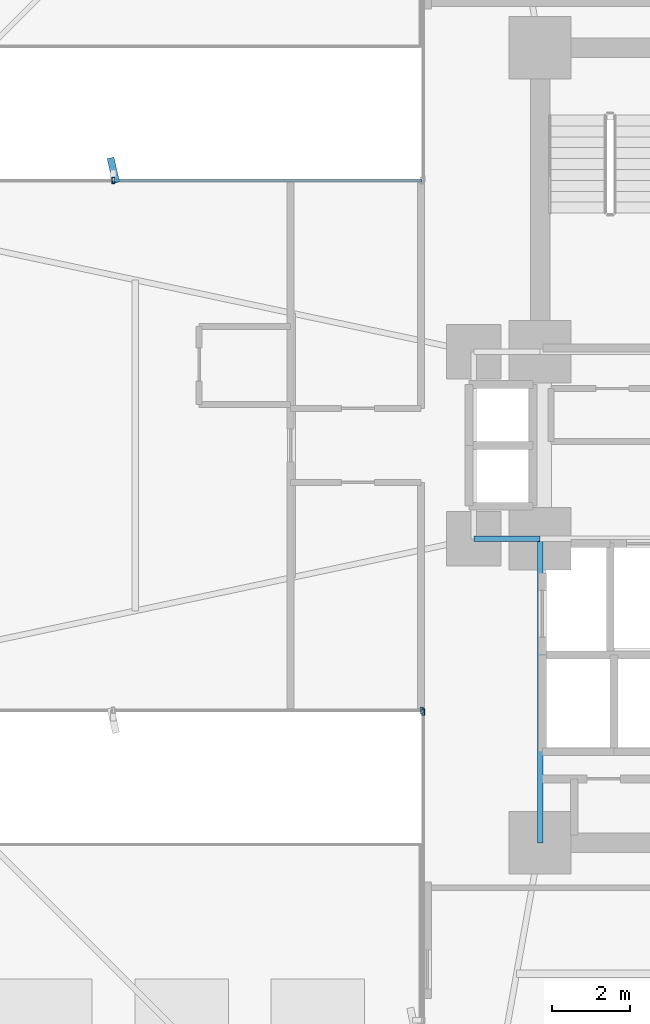
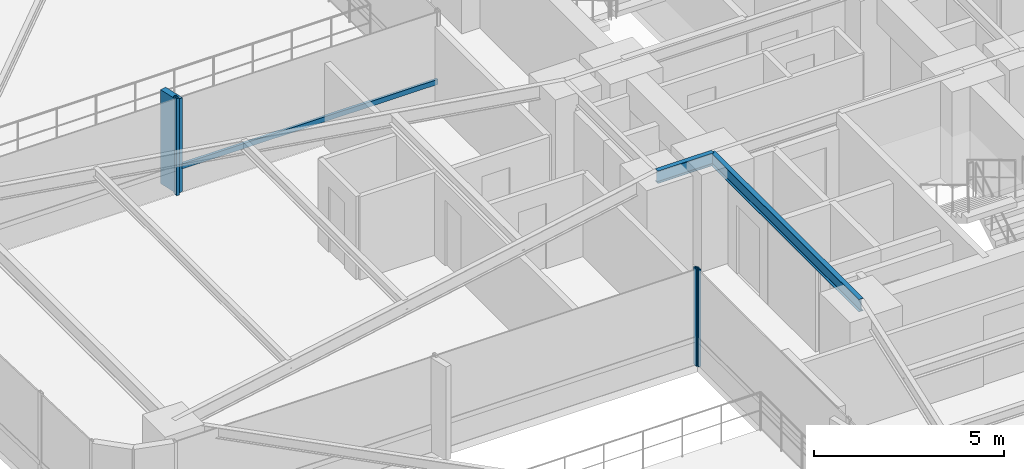
# One storey, part 9 of 27: 5 members, 2 beams, 3 elements without a shape of their own.
"""IFC4 building model written with IfcOpenShell, lengths in metres."""

from ifc_helpers import new_model, si_unit, direction, frame, origin, origin_2d, place, context, subcontext, project, spatial, rectangle, hollow_rectangle, i_section, extrude, source, transform, mapped, material, material_profile, profile_set, type_object, element, aggregate, save


model = new_model("IFC4")

# Units and contexts
model_context = context("Model", 3, precision=1e-05, world=origin(), true_north=direction((0.0, 1.0)))
body_context = subcontext(model_context, "Body", "Model", "MODEL_VIEW")
ifc_project = project(units=[si_unit("LENGTHUNIT", "METRE"), si_unit("AREAUNIT", "SQUARE_METRE"), si_unit("VOLUMEUNIT", "CUBIC_METRE"), si_unit("PLANEANGLEUNIT", "RADIAN"), si_unit("MASSUNIT", "GRAM", prefix="KILO")], contexts=[model_context])

# Site, building, storey
site_placement = place(None, origin())
site = spatial("IfcSite", under=ifc_project, at=site_placement, CompositionType="ELEMENT")
building_placement = place(site_placement, origin())
building = spatial("IfcBuilding", under=site, at=building_placement, Name="Sahyath Konkavel Grand Hotel", CompositionType="ELEMENT")
storey_placement = place(building_placement, frame((0.0, 0.0, 23.10009765625)))
storey = spatial("IfcBuildingStorey", under=building, at=storey_placement, Name="L05", CompositionType="ELEMENT", Elevation=23.10009765625)

# Beams
ifc_material_1 = material(Name="Steel E350", Category="steel")
ifc_material_profile_1 = material_profile(ifc_material_1, i_section(OverallWidth=0.139892578125, OverallDepth=0.39990234375, WebThickness=0.0087890625, FlangeThickness=0.01611328125, FilletRadius=0.013916015625, at=origin_2d()), Name="ISMB 400")
ifc_profile_set_1 = profile_set([ifc_material_profile_1], Name="Steel E350")
beam_type = type_object("IfcBeamType", Name="BM-ISMB400", PredefinedType="BEAM", material=ifc_profile_set_1)
shared_shape_1 = source(origin(), body_context, "Body", "SweptSolid", [
    extrude(i_section(OverallWidth=0.139892578125, OverallDepth=0.39990234375, WebThickness=0.0087890625, FlangeThickness=0.01611328125, FilletRadius=0.013916015625, at=origin_2d()), origin(), (0.0, 0.0, 1.0), 7.800048828125),
])
beam_1_placement = place(storey_placement, frame((-3.800048828125, -10.199951171875, 2.909912109375), z_axis=(0.0, 1.0, 0.0), x_axis=(-1.0, 0.0, 0.0)))
element("IfcBeam", 1, at=beam_1_placement, inside=storey, type_object=beam_type, Name="str:bm:L05:SC-W", PredefinedType="BEAM", context=body_context, shape_type="MappedRepresentation", body=[
    mapped(shared_shape_1, transform((0.0, 0.0, 0.0), scale=1.0)),
])
shared_shape_2 = source(origin(), body_context, "Body", "SweptSolid", [
    extrude(i_section(OverallWidth=0.139892578125, OverallDepth=0.39990234375, WebThickness=0.0087890625, FlangeThickness=0.01611328125, FilletRadius=0.013916015625, at=origin_2d()), origin(), (0.0, 0.0, 1.0), 1.699951171875),
])
beam_2_placement = place(storey_placement, frame((-5.5, -2.39990234375, 2.909912109375), z_axis=(1.0, 0.0, 0.0), x_axis=(0.0, 1.0, 0.0)))
element("IfcBeam", 2, at=beam_2_placement, inside=storey, type_object=beam_type, Name="str:bm:L05:HB-SW", PredefinedType="BEAM", context=body_context, shape_type="MappedRepresentation", body=[
    mapped(shared_shape_2, transform((0.0, 0.0, 0.0), scale=1.0)),
])

# Curtain wall, member
ifc_material_2 = material(Name="Anodised Bronze Aluminium & Low-E Glazing", Category="aluminium")
curtain_wall_type = type_object("IfcCurtainWallType", Name="CW-ZONE1", PredefinedType="NOTDEFINED", material=ifc_material_2)
curtain_wall_1_placement = place(storey_placement, origin())
curtain_wall_1 = element("IfcCurtainWall", 3, at=curtain_wall_1_placement, inside=storey, type_object=curtain_wall_type, Name="L05 Unitised Curtain Wall F16", PredefinedType="NOTDEFINED")
ifc_material_3 = material(Name="Anodised Bronze Aluminium", Category="aluminium")
ifc_material_profile_2 = material_profile(ifc_material_3, hollow_rectangle(XDim=0.080078125, YDim=0.159912109375, WallThickness=0.006103515625, at=origin_2d()), Name="RHS 160x80x6")
ifc_profile_set_2 = profile_set([ifc_material_profile_2], Name="Anodised Bronze Aluminium")
member_type_1 = type_object("IfcMemberType", Name="CW-MUL-160", PredefinedType="MULLION", material=ifc_profile_set_2)
shared_shape_3 = source(origin(), body_context, "Body", "SweptSolid", [
    extrude(hollow_rectangle(XDim=0.080078125, YDim=0.159912109375, WallThickness=0.006103515625, at=origin_2d()), origin(), (0.0, 0.0, 1.0), 3.10986328125),
])
member_1_placement = place(storey_placement, frame((-14.75, 6.800048828125, 0.0), z_axis=(0.0, 0.0, 1.0), x_axis=(1.0, 0.0, 0.0)))
member_1 = element("IfcMember", 4, at=member_1_placement, type_object=member_type_1, Name="L05 Curtain Wall Mullion F16-1", PredefinedType="MULLION", context=body_context, shape_type="MappedRepresentation", body=[
    mapped(shared_shape_3, transform((0.0, 0.0, 0.0), scale=1.0)),
])

curtain_wall_2_placement = place(storey_placement, origin())
curtain_wall_2 = element("IfcCurtainWall", 5, at=curtain_wall_2_placement, inside=storey, type_object=curtain_wall_type, Name="L05 Unitised Curtain Wall F23", PredefinedType="NOTDEFINED")
member_2_placement = place(storey_placement, frame((-6.840087890625, -6.800048828125, 0.0), z_axis=(0.0, 0.0, 1.0), x_axis=(1.0, 0.0, 0.0)))
member_2 = element("IfcMember", 6, at=member_2_placement, type_object=member_type_1, Name="L05 Curtain Wall Mullion F23-2", PredefinedType="MULLION", context=body_context, shape_type="MappedRepresentation", body=[
    mapped(shared_shape_3, transform((0.0, 0.0, 0.0), scale=1.0)),
])
aggregate(curtain_wall_2, [member_2])

curtain_wall_3_placement = place(storey_placement, origin())
curtain_wall_3 = element("IfcCurtainWall", 7, at=curtain_wall_3_placement, inside=storey, type_object=curtain_wall_type, Name="L05 Unitised Curtain Wall F24", PredefinedType="NOTDEFINED")
member_3_placement = place(storey_placement, frame((-6.800048828125, -6.840087890625, 0.0), z_axis=(0.0, 0.0, 1.0), x_axis=(1.0, 0.0, 0.0)))
member_3 = element("IfcMember", 8, at=member_3_placement, type_object=member_type_1, Name="L05 Curtain Wall Mullion F24-0", PredefinedType="MULLION", context=body_context, shape_type="MappedRepresentation", body=[
    mapped(shared_shape_3, transform((0.0, 0.0, 0.0), scale=1.0)),
])
aggregate(curtain_wall_3, [member_3])

# Member
ifc_material_4 = material(Name="Warm Buff Sandstone Cladding on Concrete C50/60", Category="masonry")
ifc_material_profile_3 = material_profile(ifc_material_4, rectangle(XDim=0.179931640625, YDim=0.64990234375, at=origin_2d()), Name="FIN 180x650")
ifc_profile_set_3 = profile_set([ifc_material_profile_3], Name="Warm Buff Sandstone Cladding on Concrete C50/60")
member_type_2 = type_object("IfcMemberType", Name="FIN-SANDSTONE-650", PredefinedType="MULLION", material=ifc_profile_set_3)
shared_shape_4 = source(origin(), body_context, "Body", "SweptSolid", [
    extrude(rectangle(XDim=0.179931640625, YDim=0.64990234375, at=origin_2d()), origin(), (0.0, 0.0, 1.0), 3.010009765625),
])
member_4_placement = place(storey_placement, frame((-14.75, 7.06005859375, 0.0498046875), z_axis=(0.0, 0.0, 1.0), x_axis=(0.975419299024, 0.220356962886, 0.0)))
member_4 = element("IfcMember", 9, at=member_4_placement, type_object=member_type_2, Name="L05 Sandstone Vertical Solar Fin FIN F16-1", PredefinedType="MULLION", context=body_context, shape_type="MappedRepresentation", body=[
    mapped(shared_shape_4, transform((0.0, 0.0, 0.0), scale=1.0)),
])

ifc_material_profile_4 = material_profile(ifc_material_3, hollow_rectangle(XDim=0.080078125, YDim=0.159912109375, WallThickness=0.006103515625, at=origin_2d()), Name="RHS 160x80x6")
ifc_profile_set_4 = profile_set([ifc_material_profile_4], Name="Anodised Bronze Aluminium")
member_type_3 = type_object("IfcMemberType", Name="CW-TRN-160", PredefinedType="USERDEFINED", material=ifc_profile_set_4)
shared_shape_5 = source(origin(), body_context, "Body", "SweptSolid", [
    extrude(hollow_rectangle(XDim=0.080078125, YDim=0.159912109375, WallThickness=0.006103515625, at=origin_2d()), origin(), (0.0, 0.0, 1.0), 7.909912109375),
])
member_5_placement = place(storey_placement, frame((-6.840087890625, 6.800048828125, 0.849853515625), z_axis=(-1.0, 0.0, 0.0), x_axis=(0.0, -1.0, 0.0)))
member_5 = element("IfcMember", 10, at=member_5_placement, type_object=member_type_3, Name="L05 Curtain Wall Transom F16-0-spandrel", ObjectType="TRANSOM", PredefinedType="USERDEFINED", context=body_context, shape_type="MappedRepresentation", body=[
    mapped(shared_shape_5, transform((0.0, 0.0, 0.0), scale=1.0)),
])

aggregate(curtain_wall_1, [member_1, member_4, member_5])

save(model, "model.ifc")
